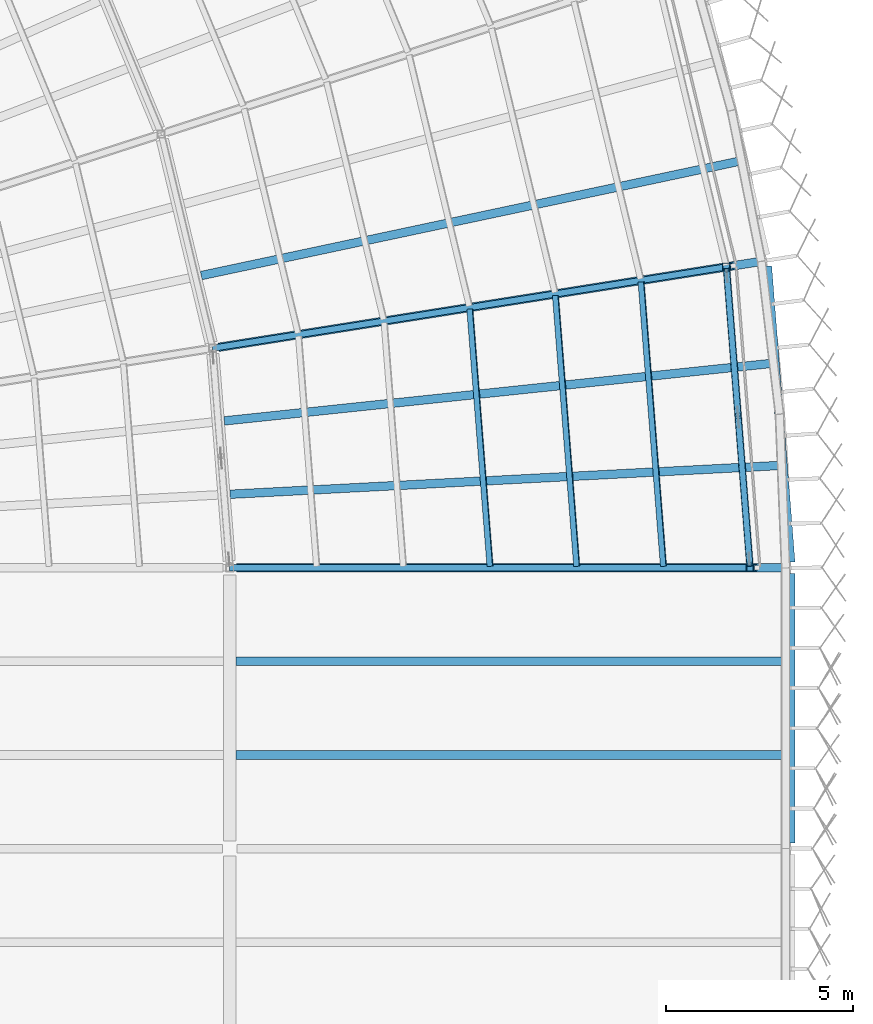
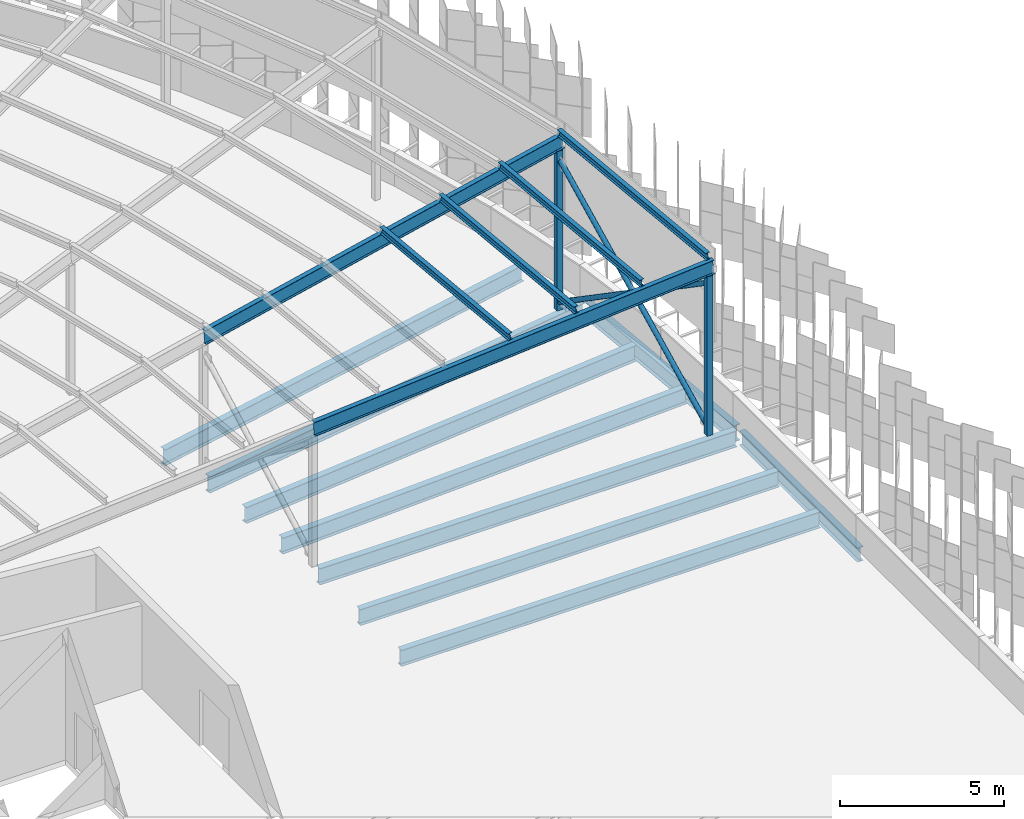
# One storey, part 89 of 483: 11 members, 9 beams.
"""IFC4 building model written with IfcOpenShell, lengths in metres."""

import ifcopenshell
import ifcopenshell.guid

model = None  # the IFC model being written
_history = None  # IfcOwnerHistory: only IFC2X3 demands one
_inside = {}  # id of a spatial element -> (the spatial element, [elements in it])
_under = {}  # id of a project, library or spatial element -> (it, [spatial elements below it])
_declared = {}  # id of a project -> (the project, [libraries it declares])
_typed = {}  # id of a type object -> (the type object, [elements of that type])
_made_of = {}  # id of a material, layer set ... -> (it, [elements and type objects made of it])


def new_model(schema):
    """Start an empty IFC model of exactly this schema.

    Asked for "IFC4X3", IfcOpenShell would pick the latest addendum, in which some entities
    have other attributes; the version numbers below select the first issue.
    IFC2X3 requires an IfcOwnerHistory on every rooted entity: one is made here for all.
    """
    global model, _history
    if schema == "IFC4X3":
        model = ifcopenshell.file(schema_version=(4, 3, 0, 0))
    else:
        model = ifcopenshell.file(schema=schema)
    _inside.clear()
    _under.clear()
    _declared.clear()
    _typed.clear()
    _made_of.clear()
    _history = None
    if model.schema == "IFC2X3":
        org = make("IfcOrganization", Name="unknown")
        user = make(
            "IfcPersonAndOrganization",
            ThePerson=make("IfcPerson", FamilyName="unknown"),
            TheOrganization=org,
        )
        app = make(
            "IfcApplication",
            ApplicationDeveloper=org,
            Version="unknown",
            ApplicationFullName="unknown",
            ApplicationIdentifier="unknown",
        )
        _history = make(
            "IfcOwnerHistory",
            OwningUser=user,
            OwningApplication=app,
            ChangeAction="ADDED",
            CreationDate=0,
        )
    return model


def make(cls, **values):
    """One entity of the class cls with the attributes given. An attribute that is None is left unset."""
    return model.create_entity(
        cls, **{name: value for name, value in values.items() if value is not None}
    )


def rooted(cls, **values):
    """An entity with a GlobalId (a new one), such as an element, a storey or a relation."""
    return make(cls, GlobalId=ifcopenshell.guid.new(), OwnerHistory=_history, **values)


def si_unit(unit_type, name, prefix=None):
    """IfcSIUnit, for example si_unit("LENGTHUNIT", "METRE", prefix="MILLI")."""
    return make("IfcSIUnit", UnitType=unit_type, Prefix=prefix, Name=name)


def assignment(units):
    """IfcUnitAssignment: the units of a project."""
    return None if units is None else make("IfcUnitAssignment", Units=units)


def point(xyz):
    """IfcCartesianPoint."""
    return None if xyz is None else make("IfcCartesianPoint", Coordinates=xyz)


def direction(xyz):
    """IfcDirection."""
    return None if xyz is None else make("IfcDirection", DirectionRatios=xyz)


def frame(location, z_axis=None, x_axis=None):
    """IfcAxis2Placement3D, a coordinate frame: its origin and axes. An axis left out is left unset."""
    return make(
        "IfcAxis2Placement3D",
        Location=point(location),
        Axis=direction(z_axis),
        RefDirection=direction(x_axis),
    )


def frame_2d(location, x_axis=None):
    """IfcAxis2Placement2D, a coordinate frame in the plane: its origin and x axis."""
    return make(
        "IfcAxis2Placement2D", Location=point(location), RefDirection=direction(x_axis)
    )


def origin():
    """The frame at (0, 0, 0) with its axes left unset."""
    return frame((0.0, 0.0, 0.0))


def origin_2d():
    """The frame at (0, 0) in the plane with its x axis left unset."""
    return frame_2d((0.0, 0.0))


def place(relative_to, where):
    """IfcLocalPlacement: puts the frame where relative to a parent placement (None: the world)."""
    return make(
        "IfcLocalPlacement", PlacementRelTo=relative_to, RelativePlacement=where
    )


def context(
    kind, dimensions, precision=None, world=None, true_north=None, identifier=None
):
    """IfcGeometricRepresentationContext, for example the 3D "Model" context."""
    return make(
        "IfcGeometricRepresentationContext",
        ContextIdentifier=identifier,
        ContextType=kind,
        CoordinateSpaceDimension=dimensions,
        Precision=precision,
        WorldCoordinateSystem=world,
        TrueNorth=true_north,
    )


def subcontext(parent, identifier, kind, view, scale=None):
    """IfcGeometricRepresentationSubContext, for example "Body" below "Model"."""
    return make(
        "IfcGeometricRepresentationSubContext",
        ContextIdentifier=identifier,
        ContextType=kind,
        ParentContext=parent,
        TargetScale=scale,
        TargetView=view,
    )


def project(units=None, contexts=None):
    """IfcProject with its units and contexts."""
    return rooted(
        "IfcProject",
        Name="project",
        RepresentationContexts=contexts,
        UnitsInContext=assignment(units),
    )


def spatial(cls, under=None, at=None, **own):
    """A site, building, storey or space (cls), placed at a placement, below another one or the project."""
    s = rooted(cls, ObjectPlacement=at, **own)
    if under is not None:
        _under.setdefault(under.id(), (under, []))[1].append(s)
    return s


def profile(cls, at=None, kind="AREA", **sizes):
    """A parametric profile (cls). Its sizes go by their IFC names, for example OverallWidth=200.0."""
    return make(cls, ProfileType=kind, Position=at, **sizes)


def hollow_rectangle(**sizes):
    """IfcRectangleHollowProfileDef."""
    return profile("IfcRectangleHollowProfileDef", **sizes)


def hollow_circle(**sizes):
    """IfcCircleHollowProfileDef."""
    return profile("IfcCircleHollowProfileDef", **sizes)


def i_section(**sizes):
    """IfcIShapeProfileDef."""
    return profile("IfcIShapeProfileDef", **sizes)


def extrude(swept, where, along, depth):
    """IfcExtrudedAreaSolid: the profile swept, set in the frame where, extruded along a direction by depth."""
    return make(
        "IfcExtrudedAreaSolid",
        SweptArea=swept,
        Position=where,
        ExtrudedDirection=direction(along),
        Depth=depth,
    )


def shape(context_of_items, identifier, shape_type, items):
    """IfcShapeRepresentation: the items that make up one representation, for example the "Body"."""
    return make(
        "IfcShapeRepresentation",
        ContextOfItems=context_of_items,
        RepresentationIdentifier=identifier,
        RepresentationType=shape_type,
        Items=items,
    )


def material(Name=None, Category=None):
    """IfcMaterial."""
    return make("IfcMaterial", Name=Name, Category=Category)


def material_profile(
    of_material, cross_section, Name=None, Category=None, Priority=None
):
    """IfcMaterialProfile: a cross section and its material."""
    return make(
        "IfcMaterialProfile",
        Name=Name,
        Material=of_material,
        Profile=cross_section,
        Priority=Priority,
        Category=Category,
    )


def profile_set(profiles, Name=None, composite=None):
    """IfcMaterialProfileSet."""
    return make(
        "IfcMaterialProfileSet",
        Name=Name,
        MaterialProfiles=profiles,
        CompositeProfile=composite,
    )


def made_of(thing, what):
    """Note that an element or type object is made of a material, layer set ...; save() writes the relation."""
    if what is not None:
        _made_of.setdefault(what.id(), (what, []))[1].append(thing)
    return thing


def type_object(cls, material=None, **own):
    """A type object (cls), such as IfcWallType, which elements share."""
    return made_of(rooted(cls, **own), material)


def element(
    cls,
    number,
    at=None,
    inside=None,
    cuts=None,
    type_object=None,
    material=None,
    context=None,
    identifier="Body",
    shape_type=None,
    held_by="IfcProductDefinitionShape",
    body=None,
    shapes=None,
    **own,
):
    """One element of the class cls, such as IfcWall. Its Tag is "e" and its number.

    at: its placement. inside: the storey or other place that contains it. cuts: it is an
    opening in that element (IfcRelVoidsElement). A single representation is given by context,
    identifier, shape_type and body (its items); several are given by shapes. held_by: the class
    of the entity that holds the representations. save() writes the other relations.
    """
    e = rooted(cls, Tag="e%d" % number, ObjectPlacement=at, **own)
    if body is not None:
        shapes = [shape(context, identifier, shape_type, body)]
    if shapes is not None:
        e.Representation = make(held_by, Representations=shapes)
    if inside is not None:
        _inside.setdefault(inside.id(), (inside, []))[1].append(e)
    if cuts is not None:
        rooted(
            "IfcRelVoidsElement", RelatingBuildingElement=cuts, RelatedOpeningElement=e
        )
    if type_object is not None:
        _typed.setdefault(type_object.id(), (type_object, []))[1].append(e)
    return made_of(e, material)


def aggregate(whole, parts):
    """IfcRelAggregates: a whole, such as a stair, and the parts it consists of."""
    return rooted("IfcRelAggregates", RelatingObject=whole, RelatedObjects=parts)


def save(model, path):
    """Write the relations noted so far, then the file.

    IfcRelAggregates (storeys below a building ...), IfcRelContainedInSpatialStructure (elements
    in a storey), IfcRelDefinesByType, IfcRelAssociatesMaterial and IfcRelDeclares: one each for
    every whole, place, type object, material and project.
    """
    for whole, parts in _under.values():
        aggregate(whole, parts)
    for where, things in _inside.values():
        rooted(
            "IfcRelContainedInSpatialStructure",
            RelatedElements=things,
            RelatingStructure=where,
        )
    for kind, things in _typed.values():
        rooted("IfcRelDefinesByType", RelatedObjects=things, RelatingType=kind)
    for what, things in _made_of.values():
        rooted("IfcRelAssociatesMaterial", RelatedObjects=things, RelatingMaterial=what)
    for by, libraries in _declared.values():
        rooted("IfcRelDeclares", RelatingContext=by, RelatedDefinitions=libraries)
    model.write(path)


model = new_model("IFC4")

# Units and contexts
model_context = context("Model", 3, precision=1e-05, world=origin(), true_north=direction((0.0, 1.0)))
body_context = subcontext(model_context, "Body", "Model", "MODEL_VIEW")
ifc_project = project(units=[si_unit("LENGTHUNIT", "METRE"), si_unit("AREAUNIT", "SQUARE_METRE"), si_unit("VOLUMEUNIT", "CUBIC_METRE"), si_unit("PLANEANGLEUNIT", "RADIAN"), si_unit("MASSUNIT", "GRAM", prefix="KILO")], contexts=[model_context])

# Site, building, storey
site_placement = place(None, origin())
site = spatial("IfcSite", under=ifc_project, at=site_placement, CompositionType="ELEMENT")
building_placement = place(site_placement, origin())
building = spatial("IfcBuilding", under=site, at=building_placement, Name="Parallax Yard Mobility Hub", CompositionType="ELEMENT")
storey_placement = place(building_placement, frame((0.0, 0.0, 13.199951171875)))
storey = spatial("IfcBuildingStorey", under=building, at=storey_placement, Name="L04", CompositionType="ELEMENT", Elevation=13.199951171875)

# Members
ifc_material_1 = material(Name="Steel ASTM A500 Gr C", Category="steel")
ifc_material_profile_1 = material_profile(ifc_material_1, hollow_circle(Radius=0.0888671875, WallThickness=0.0078125, at=origin_2d()), Name="HSS177.8x7.9")
ifc_profile_set_1 = profile_set([ifc_material_profile_1], Name="Steel ASTM A500 Gr C")
member_type_1 = type_object("IfcMemberType", Name="Canopy brace HSS177.8x7.9", PredefinedType="BRACE", material=ifc_profile_set_1)
member_1_placement = place(storey_placement, frame((223.892578125, 90.093994140625, 0.300048828125), z_axis=(-0.065230117389, 0.828971444417, 0.555474010307), x_axis=(-0.996918401283, -0.078445530037, 0.0)))
element("IfcMember", 1, at=member_1_placement, inside=storey, type_object=member_type_1, Name="Canopy X brace RC bay R9-R10 diagonal B", PredefinedType="BRACE", context=body_context, shape_type="SweptSolid", body=[
    extrude(hollow_circle(Radius=0.0888671875, WallThickness=0.0078125, at=origin_2d()), origin(), (0.0, 0.0, 1.0), 9.472900390625),
])
for number, where, z_axis, x_axis, name in (
    (2, (223.274658203125, 97.94677734375, 0.300048828125), (0.065205784262, -0.828984970615, 0.555456680754), (0.99692078936, 0.078415175452, 0.0), "Canopy X brace RC bay R9-R10 diagonal A part 1"),
    (3, (223.589111328125, 93.948974609375, 2.97900390625), (0.065258061403, -0.828982131585, 0.555454778478), (0.996915851818, 0.078477922977, 0.0), "Canopy X brace RC bay R9-R10 diagonal A part 2"),
):
    element("IfcMember", number, at=place(storey_placement, frame(where, z_axis=z_axis, x_axis=x_axis)), inside=storey, type_object=member_type_1, Name=name, PredefinedType="BRACE", context=body_context, shape_type="SweptSolid", body=[
        extrude(hollow_circle(Radius=0.0888671875, WallThickness=0.0078125, at=origin_2d()), origin(), (0.0, 0.0, 1.0), 4.650146484375),
    ])
ifc_material_profile_2 = material_profile(ifc_material_1, hollow_rectangle(XDim=0.203125, YDim=0.203125, WallThickness=0.009521484375, at=origin_2d()), Name="HSS203x203x9.5")
ifc_profile_set_2 = profile_set([ifc_material_profile_2], Name="Steel ASTM A500 Gr C")
member_type_2 = type_object("IfcMemberType", Name="Canopy post HSS203x203x9.5", PredefinedType="POST", material=ifc_profile_set_2)
for number, where, z_axis, x_axis, name in (
    (4, (223.26708984375, 98.040771484375, 0.0), (0.0, 0.0, 1.0), (1.0, 0.0, 0.0), "Canopy post RC/R9"),
    (5, (223.89990234375, 90.0, 0.0), (0.0, 0.0, 1.0), (1.0, 0.0, 0.0), "Canopy post RC/R10"),
):
    element("IfcMember", number, at=place(storey_placement, frame(where, z_axis=z_axis, x_axis=x_axis)), inside=storey, type_object=member_type_2, Name=name, PredefinedType="POST", context=body_context, shape_type="SweptSolid", body=[
        extrude(hollow_rectangle(XDim=0.203125, YDim=0.203125, WallThickness=0.009521484375, at=origin_2d()), origin(), (0.0, 0.0, 1.0), 5.922119140625),
    ])
ifc_material_2 = material(Name="Steel ASTM A992", Category="steel")
ifc_material_profile_3 = material_profile(ifc_material_2, i_section(OverallWidth=0.14794921875, OverallDepth=0.26611328125, WebThickness=0.007568359375, FlangeThickness=0.012939453125, at=origin_2d()), Name="W250x45")
ifc_profile_set_3 = profile_set([ifc_material_profile_3], Name="Steel ASTM A992")
member_type_3 = type_object("IfcMemberType", Name="Canopy purlin W250x45", PredefinedType="PURLIN", material=ifc_profile_set_3)
member_2_placement = place(storey_placement, frame((216.41650390625, 96.91455078125, 6.01806640625), z_axis=(0.078464495464, -0.99691690875, 0.0), x_axis=(0.993722441461, 0.078213068026, 0.079990157691)))
element("IfcMember", 6, at=member_2_placement, inside=storey, type_object=member_type_3, Name="Canopy purlin sector R9-R10 line 10", PredefinedType="PURLIN", context=body_context, shape_type="SweptSolid", body=[
    extrude(i_section(OverallWidth=0.14794921875, OverallDepth=0.26611328125, WebThickness=0.007568359375, FlangeThickness=0.012939453125, at=origin_2d()), origin(), (0.0, 0.0, 1.0), 6.89501953125),
])
member_3_placement = place(storey_placement, frame((218.70458984375, 97.27685546875, 6.203369140625), z_axis=(0.078471133612, -0.996916386258, 0.0), x_axis=(0.993721920643, 0.078219684904, 0.079990157691)))
element("IfcMember", 7, at=member_3_placement, inside=storey, type_object=member_type_3, Name="Canopy purlin sector R9-R10 line 11", PredefinedType="PURLIN", context=body_context, shape_type="SweptSolid", body=[
    extrude(i_section(OverallWidth=0.14794921875, OverallDepth=0.26611328125, WebThickness=0.007568359375, FlangeThickness=0.012939453125, at=origin_2d()), origin(), (0.0, 0.0, 1.0), 7.258544921875),
])
member_4_placement = place(storey_placement, frame((220.99267578125, 97.639404296875, 6.388671875), z_axis=(0.078474632808, -0.996916110817, 0.0), x_axis=(0.993721646084, 0.078223172886, 0.079990157691)))
element("IfcMember", 8, at=member_4_placement, inside=storey, type_object=member_type_3, Name="Canopy purlin sector R9-R10 line 12", PredefinedType="PURLIN", context=body_context, shape_type="SweptSolid", body=[
    extrude(i_section(OverallWidth=0.14794921875, OverallDepth=0.26611328125, WebThickness=0.007568359375, FlangeThickness=0.012939453125, at=origin_2d()), origin(), (0.0, 0.0, 1.0), 7.6220703125),
])
member_5_placement = place(storey_placement, frame((223.281005859375, 98.001708984375, 6.573974609375), z_axis=(0.078449820637, -0.996918063655, 0.0), x_axis=(0.993723592665, 0.078198440223, 0.079990157691)))
element("IfcMember", 9, at=member_5_placement, inside=storey, type_object=member_type_3, Name="Canopy purlin sector R9-R10 line 13", PredefinedType="PURLIN", context=body_context, shape_type="SweptSolid", body=[
    extrude(i_section(OverallWidth=0.14794921875, OverallDepth=0.26611328125, WebThickness=0.007568359375, FlangeThickness=0.012939453125, at=origin_2d()), origin(), (0.0, 0.0, 1.0), 7.985595703125),
])
ifc_material_profile_4 = material_profile(ifc_material_2, i_section(OverallWidth=0.166015625, OverallDepth=0.529052734375, WebThickness=0.009765625, FlangeThickness=0.013671875, at=origin_2d()), Name="W530x74")
ifc_profile_set_4 = profile_set([ifc_material_profile_4], Name="Steel ASTM A992")
member_type_4 = type_object("IfcMemberType", Name="Canopy rafter W530x74", PredefinedType="RAFTER", material=ifc_profile_set_4)
member_6_placement = place(storey_placement, frame((209.55908203125, 95.86962890625, 5.067138671875), z_axis=(0.984544187034, 0.155926579375, 0.079747386297), x_axis=(-0.156424775797, 0.987689875172, 0.0)))
element("IfcMember", 10, at=member_6_placement, inside=storey, type_object=member_type_4, Name="Canopy rafter R9 outer span", PredefinedType="RAFTER", context=body_context, shape_type="SweptSolid", body=[
    extrude(i_section(OverallWidth=0.166015625, OverallDepth=0.529052734375, WebThickness=0.009765625, FlangeThickness=0.013671875, at=origin_2d()), origin(), (0.0, 0.0, 1.0), 14.0947265625),
])
member_7_placement = place(storey_placement, frame((210.02099609375, 90.0, 5.067138671875), z_axis=(0.996815168385, 0.0, 0.079746599163), x_axis=(0.0, 1.0, 0.0)))
element("IfcMember", 11, at=member_7_placement, inside=storey, type_object=member_type_4, Name="Canopy rafter R10 outer span", PredefinedType="RAFTER", context=body_context, shape_type="SweptSolid", body=[
    extrude(i_section(OverallWidth=0.166015625, OverallDepth=0.529052734375, WebThickness=0.009765625, FlangeThickness=0.013671875, at=origin_2d()), origin(), (0.0, 0.0, 1.0), 14.094970703125),
])

# Beams
ifc_material_profile_5 = material_profile(ifc_material_2, i_section(OverallWidth=0.208984375, OverallDepth=0.532958984375, WebThickness=0.01025390625, FlangeThickness=0.015625, FilletRadius=0.0126953125, at=origin_2d()), Name="W530x92")
ifc_profile_set_5 = profile_set([ifc_material_profile_5], Name="Steel ASTM A992")
beam_type_1 = type_object("IfcBeamType", Name="W530x92 edge beam", PredefinedType="SPANDREL", material=ifc_profile_set_5)
beam_1_placement = place(storey_placement, frame((225.0, 82.652587890625, -0.406494140625), z_axis=(0.0, 1.0, 0.0), x_axis=(-1.0, 0.0, 0.0)))
element("IfcBeam", 12, at=beam_1_placement, inside=storey, type_object=beam_type_1, Name="Edge beam SB5 level L04, line 31 of ramped parking decks, span 8", PredefinedType="SPANDREL", context=body_context, shape_type="SweptSolid", body=[
    extrude(i_section(OverallWidth=0.208984375, OverallDepth=0.532958984375, WebThickness=0.01025390625, FlangeThickness=0.015625, FilletRadius=0.0126953125, at=origin_2d()), origin(), (0.0, 0.0, 1.0), 7.19482421875),
])
ifc_material_profile_6 = material_profile(ifc_material_2, i_section(OverallWidth=0.22802734375, OverallDepth=0.60205078125, WebThickness=0.010498046875, FlangeThickness=0.014892578125, FilletRadius=0.0126953125, at=origin_2d()), Name="W610x101")
ifc_profile_set_6 = profile_set([ifc_material_profile_6], Name="Steel ASTM A992")
beam_type_2 = type_object("IfcBeamType", Name="W610x101 secondary beam", PredefinedType="JOIST", material=ifc_profile_set_6)
for number, where, z_axis, x_axis, name in (
    (13, (210.16259765625, 85.0, -0.44091796875), (1.0, 0.0, 0.0), (0.0, 1.0, 0.0), "Secondary beam B3 level L04, 2.5 m north of line M of ramped parking decks, span 2"),
    (14, (210.16259765625, 87.5, -0.44091796875), (1.0, 0.0, 0.0), (0.0, 1.0, 0.0), "Secondary beam B3 level L04, 5 m north of line M of ramped parking decks, span 2"),
):
    element("IfcBeam", number, at=place(storey_placement, frame(where, z_axis=z_axis, x_axis=x_axis)), inside=storey, type_object=beam_type_2, Name=name, PredefinedType="JOIST", context=body_context, shape_type="SweptSolid", body=[
        extrude(i_section(OverallWidth=0.22802734375, OverallDepth=0.60205078125, WebThickness=0.010498046875, FlangeThickness=0.014892578125, FilletRadius=0.0126953125, at=origin_2d()), origin(), (0.0, 0.0, 1.0), 14.73291015625),
    ])
beam_2_placement = place(storey_placement, frame((209.239013671875, 97.80908203125, -0.44091796875), z_axis=(0.978148326542, 0.207908276129, 0.0), x_axis=(-0.207908276129, 0.978148326542, 0.0)))
element("IfcBeam", 15, at=beam_2_placement, inside=storey, type_object=beam_type_2, Name="Secondary beam B3 level L04, radial at 78 degrees of ramped parking decks, span 2", PredefinedType="JOIST", context=body_context, shape_type="SweptSolid", body=[
    extrude(i_section(OverallWidth=0.22802734375, OverallDepth=0.60205078125, WebThickness=0.010498046875, FlangeThickness=0.014892578125, FilletRadius=0.0126953125, at=origin_2d()), origin(), (0.0, 0.0, 1.0), 14.681884765625),
])
for number, where, z_axis, x_axis, name in (
    (16, (209.85400390625, 93.926025390625, -0.44091796875), (0.994521841777, 0.104528973154, 0.0), (-0.104528973154, 0.994521841777, 0.0), "Secondary beam B3 level L04, radial at 84 degrees of ramped parking decks, span 2"),
    (17, (210.00830078125, 91.9658203125, -0.44091796875), (0.99862979267, 0.052331034694, 0.0), (-0.052331034694, 0.99862979267, 0.0), "Secondary beam B3 level L04, radial at 87 degrees of ramped parking decks, span 2"),
):
    element("IfcBeam", number, at=place(storey_placement, frame(where, z_axis=z_axis, x_axis=x_axis)), inside=storey, type_object=beam_type_2, Name=name, PredefinedType="JOIST", context=body_context, shape_type="SweptSolid", body=[
        extrude(i_section(OverallWidth=0.22802734375, OverallDepth=0.60205078125, WebThickness=0.010498046875, FlangeThickness=0.014892578125, FilletRadius=0.0126953125, at=origin_2d()), origin(), (0.0, 0.0, 1.0), 14.681640625),
    ])
ifc_material_profile_7 = material_profile(ifc_material_2, i_section(OverallWidth=0.22900390625, OverallDepth=0.612060546875, WebThickness=0.011962890625, FlangeThickness=0.01953125, FilletRadius=0.0126953125, at=origin_2d()), Name="W610x125")
ifc_profile_set_7 = profile_set([ifc_material_profile_7], Name="Steel ASTM A992")
beam_type_3 = type_object("IfcBeamType", Name="W610x125 edge beam", PredefinedType="SPANDREL", material=ifc_profile_set_7)
beam_3_placement = place(storey_placement, frame((224.365478515625, 98.060302734375, -0.446044921875), z_axis=(0.07848514886, -0.996915282965, 0.0), x_axis=(0.996915282965, 0.07848514886, 0.0)))
element("IfcBeam", 18, at=beam_3_placement, inside=storey, type_object=beam_type_3, Name="Edge beam SB7 level L04, ring RC of ramped parking decks, span 10", PredefinedType="SPANDREL", context=body_context, shape_type="SweptSolid", body=[
    extrude(i_section(OverallWidth=0.22900390625, OverallDepth=0.612060546875, WebThickness=0.011962890625, FlangeThickness=0.01953125, FilletRadius=0.0126953125, at=origin_2d()), origin(), (0.0, 0.0, 1.0), 7.93212890625),
])
ifc_material_profile_8 = material_profile(ifc_material_2, i_section(OverallWidth=0.22900390625, OverallDepth=0.612060546875, WebThickness=0.011962890625, FlangeThickness=0.01953125, FilletRadius=0.0126953125, at=origin_2d()), Name="W610x125")
ifc_profile_set_8 = profile_set([ifc_material_profile_8], Name="Steel ASTM A992")
beam_type_4 = type_object("IfcBeamType", Name="W610x125 girder", PredefinedType="BEAM", material=ifc_profile_set_8)
beam_4_placement = place(storey_placement, frame((210.18408203125, 90.0, -0.446044921875), z_axis=(1.0, 0.0, 0.0), x_axis=(0.0, 1.0, 0.0)))
element("IfcBeam", 19, at=beam_4_placement, inside=storey, type_object=beam_type_4, Name="Girder G3 level L04, line N of ramped parking decks, span 2", PredefinedType="BEAM", context=body_context, shape_type="SweptSolid", body=[
    extrude(i_section(OverallWidth=0.22900390625, OverallDepth=0.612060546875, WebThickness=0.011962890625, FlangeThickness=0.01953125, FilletRadius=0.0126953125, at=origin_2d()), origin(), (0.0, 0.0, 1.0), 14.662353515625),
])
beam_5_placement = place(storey_placement, frame((209.7001953125, 95.89208984375, -0.446044921875), z_axis=(0.987690594614, 0.15642023306, 0.0), x_axis=(-0.15642023306, 0.987690594614, 0.0)))
element("IfcBeam", 20, at=beam_5_placement, inside=storey, type_object=beam_type_4, Name="Girder G3 level L04, radial R9 of ramped parking decks, span 1", PredefinedType="BEAM", context=body_context, shape_type="SweptSolid", body=[
    extrude(i_section(OverallWidth=0.22900390625, OverallDepth=0.612060546875, WebThickness=0.011962890625, FlangeThickness=0.01953125, FilletRadius=0.0126953125, at=origin_2d()), origin(), (0.0, 0.0, 1.0), 14.682373046875),
])

save(model, "model.ifc")
